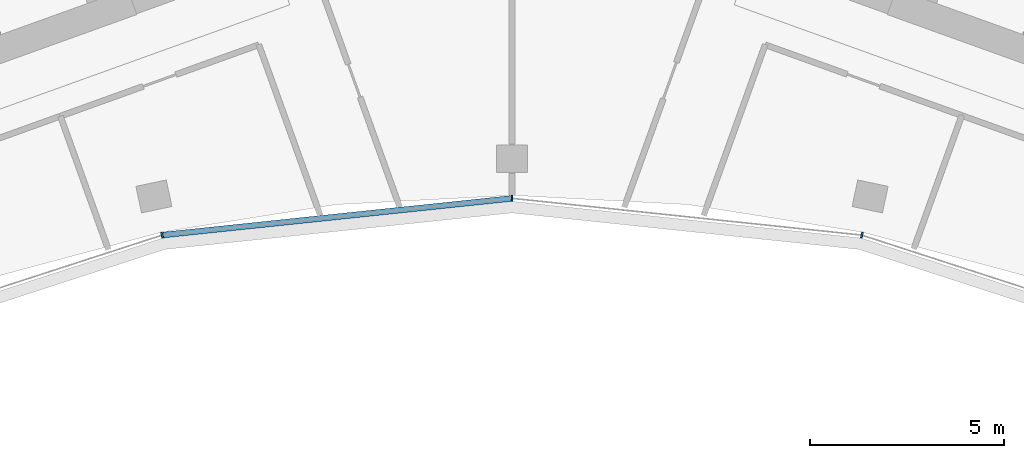
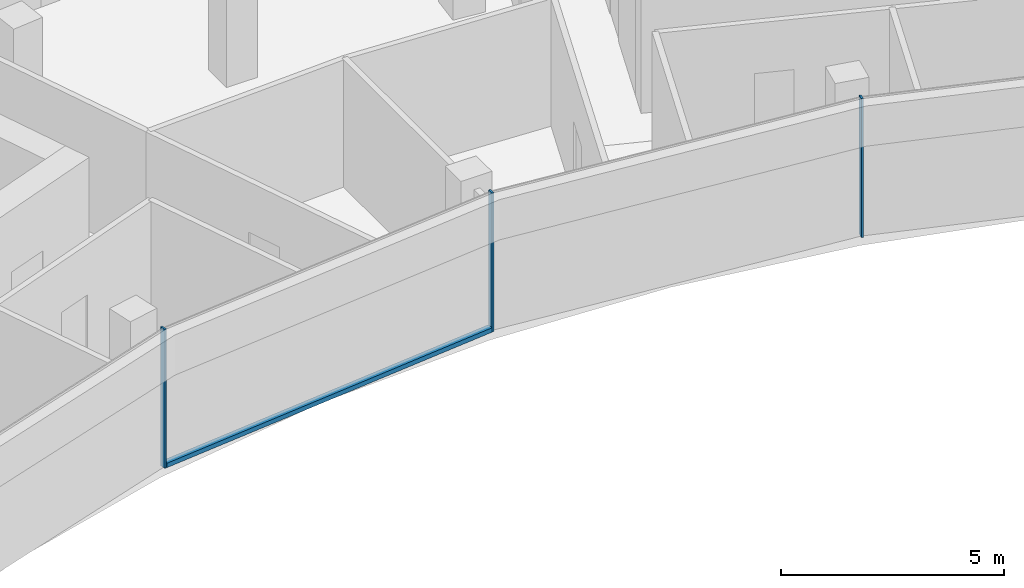
# One storey, part 5 of 18: 4 members, 1 element without a shape of its own.
"""IFC4 building model written with IfcOpenShell, lengths in metres."""

from ifc_helpers import new_model, si_unit, direction, frame, origin, origin_2d, place, context, subcontext, project, spatial, rectangle, extrude, material, layer, layer_set, material_profile, profile_set, type_object, element, aggregate, save


model = new_model("IFC4")

# Units and contexts
model_context = context("Model", 3, precision=1e-05, world=origin(), true_north=direction((0.0, 1.0)))
body_context = subcontext(model_context, "Body", "Model", "MODEL_VIEW")
ifc_project = project(units=[si_unit("LENGTHUNIT", "METRE"), si_unit("AREAUNIT", "SQUARE_METRE"), si_unit("VOLUMEUNIT", "CUBIC_METRE"), si_unit("PLANEANGLEUNIT", "RADIAN"), si_unit("MASSUNIT", "GRAM", prefix="KILO")], contexts=[model_context])

# Site, building, storey
site_placement = place(None, origin())
site = spatial("IfcSite", under=ifc_project, at=site_placement, CompositionType="ELEMENT")
building_placement = place(site_placement, origin())
building = spatial("IfcBuilding", under=site, at=building_placement, Name="Stone Belt Terrace Tower", CompositionType="ELEMENT")
storey_placement = place(building_placement, frame((0.0, 0.0, 265.60009765625)))
storey = spatial("IfcBuildingStorey", under=building, at=storey_placement, Name="L64", CompositionType="ELEMENT", Elevation=265.60009765625)

# Curtain wall, members
ifc_material = material(Name="Aluminium 6063-T6 anodised frame", Category="aluminium")
ifc_layer = layer(ifc_material, 0.14990234375)
ifc_layer_set = layer_set([ifc_layer], Name="CW-B unitised concave-face curtain wall")
curtain_wall_type = type_object("IfcCurtainWallType", Name="CW-B unitised concave-face curtain wall", PredefinedType="NOTDEFINED", material=ifc_layer_set)
curtain_wall_placement = place(storey_placement, origin())
curtain_wall = element("IfcCurtainWall", 1, at=curtain_wall_placement, inside=storey, type_object=curtain_wall_type, Name="CW-B concave face L64", PredefinedType="NOTDEFINED")
ifc_material_profile_1 = material_profile(ifc_material, rectangle(XDim=0.14990234375, YDim=0.050048828125, at=origin_2d()), Name="Aluminium 6063-T6 50x150")
ifc_profile_set_1 = profile_set([ifc_material_profile_1], Name="Aluminium 6063-T6 anodised frame")
member_type_1 = type_object("IfcMemberType", Name="CW-B mullion 50 x 150", PredefinedType="MULLION", material=ifc_profile_set_1)
member_1_placement = place(storey_placement, frame((-9.028564453125, 42.4755859375, 0.0), z_axis=(0.0, 0.0, 1.0), x_axis=(-0.207911690818, 0.978147600734, 0.0)))
member_1 = element("IfcMember", 2, at=member_1_placement, type_object=member_type_1, Name="CW-B mullion 4", PredefinedType="MULLION", context=body_context, shape_type="SweptSolid", body=[
    extrude(rectangle(XDim=0.14990234375, YDim=0.050048828125, at=origin_2d()), origin(), (0.0, 0.0, 1.0), 3.7998046875),
])
member_2_placement = place(storey_placement, frame((0.0, 43.424560546875, 0.0), z_axis=(0.0, 0.0, 1.0), x_axis=(0.0, 1.0, 0.0)))
member_2 = element("IfcMember", 3, at=member_2_placement, type_object=member_type_1, Name="CW-B mullion 5", PredefinedType="MULLION", context=body_context, shape_type="SweptSolid", body=[
    extrude(rectangle(XDim=0.14990234375, YDim=0.050048828125, at=origin_2d()), origin(), (0.0, 0.0, 1.0), 3.7998046875),
])
member_3_placement = place(storey_placement, frame((9.028564453125, 42.4755859375, 0.0), z_axis=(0.0, 0.0, 1.0), x_axis=(0.207911690818, 0.978147600734, 0.0)))
member_3 = element("IfcMember", 4, at=member_3_placement, type_object=member_type_1, Name="CW-B mullion 6", PredefinedType="MULLION", context=body_context, shape_type="SweptSolid", body=[
    extrude(rectangle(XDim=0.14990234375, YDim=0.050048828125, at=origin_2d()), origin(), (0.0, 0.0, 1.0), 3.7998046875),
])
ifc_material_profile_2 = material_profile(ifc_material, rectangle(XDim=0.14990234375, YDim=0.1201171875, at=origin_2d()), Name="Aluminium 6063-T6 150x120")
ifc_profile_set_2 = profile_set([ifc_material_profile_2], Name="Aluminium 6063-T6 anodised frame")
member_type_2 = type_object("IfcMemberType", Name="CW-B transom 120 x 150", PredefinedType="USERDEFINED", material=ifc_profile_set_2)
member_4_placement = place(storey_placement, frame((-8.995849609375, 42.47900390625, 0.059814453125), z_axis=(0.994521323407, 0.104533904969, 0.0), x_axis=(-0.104533904969, 0.994521323407, 0.0)))
member_4 = element("IfcMember", 5, at=member_4_placement, type_object=member_type_2, Name="CW-B transom 4.1", ObjectType="TRANSOM", PredefinedType="USERDEFINED", context=body_context, shape_type="SweptSolid", body=[
    extrude(rectangle(XDim=0.14990234375, YDim=0.1201171875, at=origin_2d()), origin(), (0.0, 0.0, 1.0), 9.0126953125),
])
aggregate(curtain_wall, [member_1, member_2, member_3, member_4])

save(model, "model.ifc")
